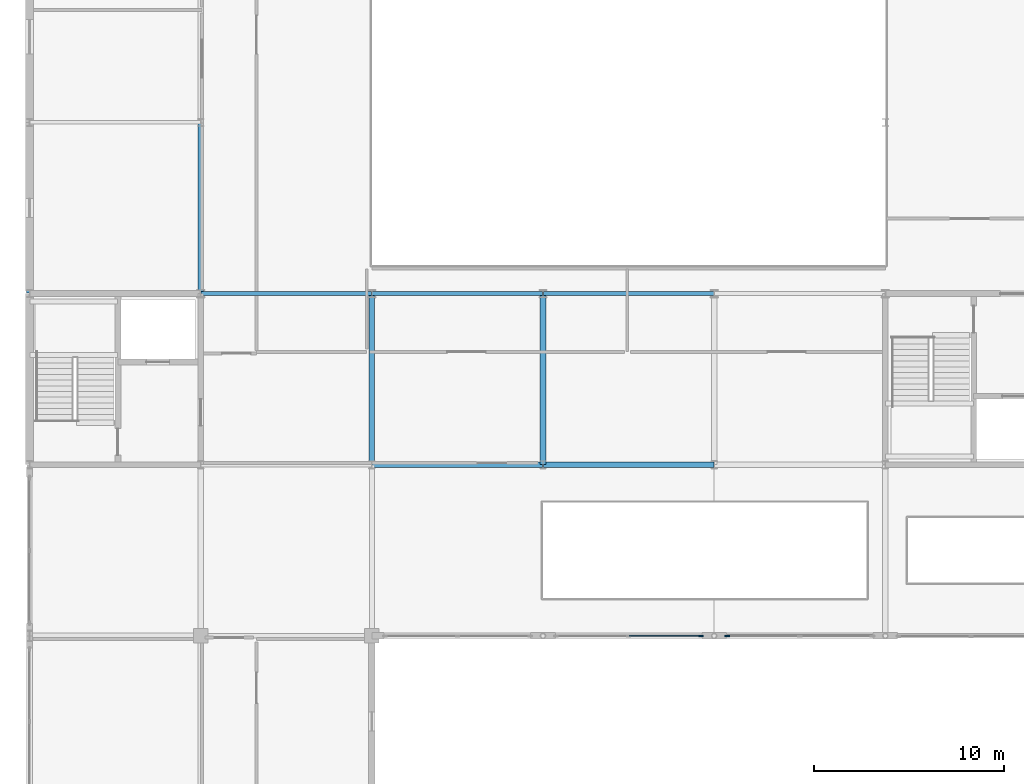
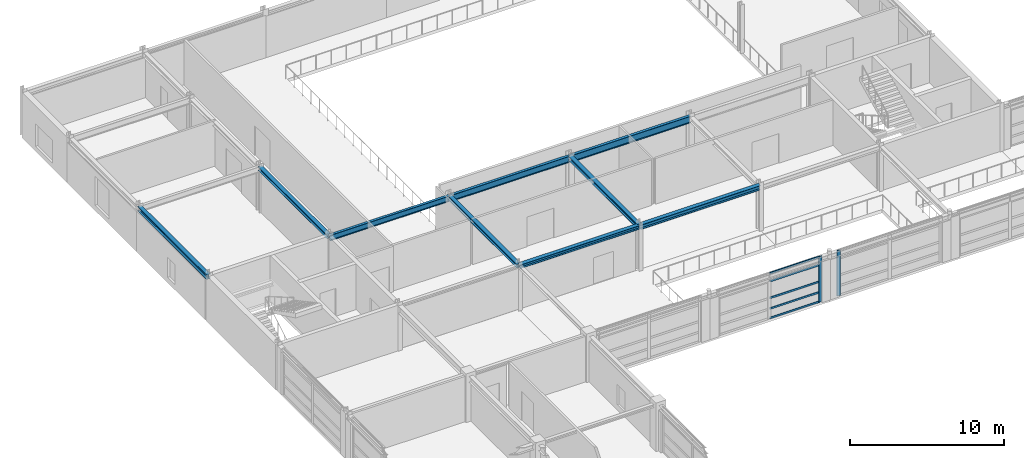
# One storey, part 32 of 79: 9 beams, 7 members, 2 elements without a shape of their own.
"""IFC4 building model written with IfcOpenShell, lengths in metres."""

import ifcopenshell
import ifcopenshell.guid

model = None  # the IFC model being written
_history = None  # IfcOwnerHistory: only IFC2X3 demands one
_inside = {}  # id of a spatial element -> (the spatial element, [elements in it])
_under = {}  # id of a project, library or spatial element -> (it, [spatial elements below it])
_declared = {}  # id of a project -> (the project, [libraries it declares])
_typed = {}  # id of a type object -> (the type object, [elements of that type])
_made_of = {}  # id of a material, layer set ... -> (it, [elements and type objects made of it])


def new_model(schema):
    """Start an empty IFC model of exactly this schema.

    Asked for "IFC4X3", IfcOpenShell would pick the latest addendum, in which some entities
    have other attributes; the version numbers below select the first issue.
    IFC2X3 requires an IfcOwnerHistory on every rooted entity: one is made here for all.
    """
    global model, _history
    if schema == "IFC4X3":
        model = ifcopenshell.file(schema_version=(4, 3, 0, 0))
    else:
        model = ifcopenshell.file(schema=schema)
    _inside.clear()
    _under.clear()
    _declared.clear()
    _typed.clear()
    _made_of.clear()
    _history = None
    if model.schema == "IFC2X3":
        org = make("IfcOrganization", Name="unknown")
        user = make(
            "IfcPersonAndOrganization",
            ThePerson=make("IfcPerson", FamilyName="unknown"),
            TheOrganization=org,
        )
        app = make(
            "IfcApplication",
            ApplicationDeveloper=org,
            Version="unknown",
            ApplicationFullName="unknown",
            ApplicationIdentifier="unknown",
        )
        _history = make(
            "IfcOwnerHistory",
            OwningUser=user,
            OwningApplication=app,
            ChangeAction="ADDED",
            CreationDate=0,
        )
    return model


def make(cls, **values):
    """One entity of the class cls with the attributes given. An attribute that is None is left unset."""
    return model.create_entity(
        cls, **{name: value for name, value in values.items() if value is not None}
    )


def rooted(cls, **values):
    """An entity with a GlobalId (a new one), such as an element, a storey or a relation."""
    return make(cls, GlobalId=ifcopenshell.guid.new(), OwnerHistory=_history, **values)


def si_unit(unit_type, name, prefix=None):
    """IfcSIUnit, for example si_unit("LENGTHUNIT", "METRE", prefix="MILLI")."""
    return make("IfcSIUnit", UnitType=unit_type, Prefix=prefix, Name=name)


def assignment(units):
    """IfcUnitAssignment: the units of a project."""
    return None if units is None else make("IfcUnitAssignment", Units=units)


def point(xyz):
    """IfcCartesianPoint."""
    return None if xyz is None else make("IfcCartesianPoint", Coordinates=xyz)


def direction(xyz):
    """IfcDirection."""
    return None if xyz is None else make("IfcDirection", DirectionRatios=xyz)


def frame(location, z_axis=None, x_axis=None):
    """IfcAxis2Placement3D, a coordinate frame: its origin and axes. An axis left out is left unset."""
    return make(
        "IfcAxis2Placement3D",
        Location=point(location),
        Axis=direction(z_axis),
        RefDirection=direction(x_axis),
    )


def frame_2d(location, x_axis=None):
    """IfcAxis2Placement2D, a coordinate frame in the plane: its origin and x axis."""
    return make(
        "IfcAxis2Placement2D", Location=point(location), RefDirection=direction(x_axis)
    )


def origin():
    """The frame at (0, 0, 0) with its axes left unset."""
    return frame((0.0, 0.0, 0.0))


def origin_2d():
    """The frame at (0, 0) in the plane with its x axis left unset."""
    return frame_2d((0.0, 0.0))


def place(relative_to, where):
    """IfcLocalPlacement: puts the frame where relative to a parent placement (None: the world)."""
    return make(
        "IfcLocalPlacement", PlacementRelTo=relative_to, RelativePlacement=where
    )


def context(
    kind, dimensions, precision=None, world=None, true_north=None, identifier=None
):
    """IfcGeometricRepresentationContext, for example the 3D "Model" context."""
    return make(
        "IfcGeometricRepresentationContext",
        ContextIdentifier=identifier,
        ContextType=kind,
        CoordinateSpaceDimension=dimensions,
        Precision=precision,
        WorldCoordinateSystem=world,
        TrueNorth=true_north,
    )


def subcontext(parent, identifier, kind, view, scale=None):
    """IfcGeometricRepresentationSubContext, for example "Body" below "Model"."""
    return make(
        "IfcGeometricRepresentationSubContext",
        ContextIdentifier=identifier,
        ContextType=kind,
        ParentContext=parent,
        TargetScale=scale,
        TargetView=view,
    )


def project(units=None, contexts=None):
    """IfcProject with its units and contexts."""
    return rooted(
        "IfcProject",
        Name="project",
        RepresentationContexts=contexts,
        UnitsInContext=assignment(units),
    )


def spatial(cls, under=None, at=None, **own):
    """A site, building, storey or space (cls), placed at a placement, below another one or the project."""
    s = rooted(cls, ObjectPlacement=at, **own)
    if under is not None:
        _under.setdefault(under.id(), (under, []))[1].append(s)
    return s


def profile(cls, at=None, kind="AREA", **sizes):
    """A parametric profile (cls). Its sizes go by their IFC names, for example OverallWidth=200.0."""
    return make(cls, ProfileType=kind, Position=at, **sizes)


def rectangle(**sizes):
    """IfcRectangleProfileDef."""
    return profile("IfcRectangleProfileDef", **sizes)


def i_section(**sizes):
    """IfcIShapeProfileDef."""
    return profile("IfcIShapeProfileDef", **sizes)


def extrude(swept, where, along, depth):
    """IfcExtrudedAreaSolid: the profile swept, set in the frame where, extruded along a direction by depth."""
    return make(
        "IfcExtrudedAreaSolid",
        SweptArea=swept,
        Position=where,
        ExtrudedDirection=direction(along),
        Depth=depth,
    )


def shape(context_of_items, identifier, shape_type, items):
    """IfcShapeRepresentation: the items that make up one representation, for example the "Body"."""
    return make(
        "IfcShapeRepresentation",
        ContextOfItems=context_of_items,
        RepresentationIdentifier=identifier,
        RepresentationType=shape_type,
        Items=items,
    )


def material(Name=None, Category=None):
    """IfcMaterial."""
    return make("IfcMaterial", Name=Name, Category=Category)


def material_profile(
    of_material, cross_section, Name=None, Category=None, Priority=None
):
    """IfcMaterialProfile: a cross section and its material."""
    return make(
        "IfcMaterialProfile",
        Name=Name,
        Material=of_material,
        Profile=cross_section,
        Priority=Priority,
        Category=Category,
    )


def profile_set(profiles, Name=None, composite=None):
    """IfcMaterialProfileSet."""
    return make(
        "IfcMaterialProfileSet",
        Name=Name,
        MaterialProfiles=profiles,
        CompositeProfile=composite,
    )


def made_of(thing, what):
    """Note that an element or type object is made of a material, layer set ...; save() writes the relation."""
    if what is not None:
        _made_of.setdefault(what.id(), (what, []))[1].append(thing)
    return thing


def type_object(cls, material=None, **own):
    """A type object (cls), such as IfcWallType, which elements share."""
    return made_of(rooted(cls, **own), material)


def element(
    cls,
    number,
    at=None,
    inside=None,
    cuts=None,
    type_object=None,
    material=None,
    context=None,
    identifier="Body",
    shape_type=None,
    held_by="IfcProductDefinitionShape",
    body=None,
    shapes=None,
    **own,
):
    """One element of the class cls, such as IfcWall. Its Tag is "e" and its number.

    at: its placement. inside: the storey or other place that contains it. cuts: it is an
    opening in that element (IfcRelVoidsElement). A single representation is given by context,
    identifier, shape_type and body (its items); several are given by shapes. held_by: the class
    of the entity that holds the representations. save() writes the other relations.
    """
    e = rooted(cls, Tag="e%d" % number, ObjectPlacement=at, **own)
    if body is not None:
        shapes = [shape(context, identifier, shape_type, body)]
    if shapes is not None:
        e.Representation = make(held_by, Representations=shapes)
    if inside is not None:
        _inside.setdefault(inside.id(), (inside, []))[1].append(e)
    if cuts is not None:
        rooted(
            "IfcRelVoidsElement", RelatingBuildingElement=cuts, RelatedOpeningElement=e
        )
    if type_object is not None:
        _typed.setdefault(type_object.id(), (type_object, []))[1].append(e)
    return made_of(e, material)


def aggregate(whole, parts):
    """IfcRelAggregates: a whole, such as a stair, and the parts it consists of."""
    return rooted("IfcRelAggregates", RelatingObject=whole, RelatedObjects=parts)


def save(model, path):
    """Write the relations noted so far, then the file.

    IfcRelAggregates (storeys below a building ...), IfcRelContainedInSpatialStructure (elements
    in a storey), IfcRelDefinesByType, IfcRelAssociatesMaterial and IfcRelDeclares: one each for
    every whole, place, type object, material and project.
    """
    for whole, parts in _under.values():
        aggregate(whole, parts)
    for where, things in _inside.values():
        rooted(
            "IfcRelContainedInSpatialStructure",
            RelatedElements=things,
            RelatingStructure=where,
        )
    for kind, things in _typed.values():
        rooted("IfcRelDefinesByType", RelatedObjects=things, RelatingType=kind)
    for what, things in _made_of.values():
        rooted("IfcRelAssociatesMaterial", RelatedObjects=things, RelatingMaterial=what)
    for by, libraries in _declared.values():
        rooted("IfcRelDeclares", RelatingContext=by, RelatedDefinitions=libraries)
    model.write(path)


model = new_model("IFC4")

# Units and contexts
model_context = context("Model", 3, precision=1e-05, world=origin(), true_north=direction((0.0, 1.0)))
body_context = subcontext(model_context, "Body", "Model", "MODEL_VIEW")
ifc_project = project(units=[si_unit("LENGTHUNIT", "METRE"), si_unit("AREAUNIT", "SQUARE_METRE"), si_unit("VOLUMEUNIT", "CUBIC_METRE"), si_unit("PLANEANGLEUNIT", "RADIAN"), si_unit("MASSUNIT", "GRAM", prefix="KILO")], contexts=[model_context])

# Site, building, storey
site_placement = place(None, origin())
site = spatial("IfcSite", under=ifc_project, at=site_placement, CompositionType="ELEMENT")
building_placement = place(site_placement, origin())
building = spatial("IfcBuilding", under=site, at=building_placement, Name="Palais des Congres Ocreval", CompositionType="ELEMENT")
storey_placement = place(building_placement, frame((0.0, 0.0, 4.320068359375)))
storey = spatial("IfcBuildingStorey", under=building, at=storey_placement, Name="L01", CompositionType="ELEMENT", Elevation=4.320068359375)

# Beams
ifc_material_1 = material(Name="Steel S355", Category="steel")
ifc_material_profile_1 = material_profile(ifc_material_1, i_section(OverallWidth=0.18994140625, OverallDepth=0.449951171875, WebThickness=0.009521484375, FlangeThickness=0.0146484375, at=origin_2d()), Name="IPE 450")
ifc_profile_set_1 = profile_set([ifc_material_profile_1], Name="Steel S355")
beam_type_1 = type_object("IfcBeamType", Name="Composite Beam IPE 450 Steel S355", PredefinedType="BEAM", material=ifc_profile_set_1)
beam_1_placement = place(storey_placement, frame((9.02001953125, 90.0, 3.35498046875), z_axis=(1.0, 0.0, 0.0), x_axis=(0.0, 1.0, 0.0)))
element("IfcBeam", 1, at=beam_1_placement, inside=storey, type_object=beam_type_1, Name="Beam B03 L01", PredefinedType="BEAM", context=body_context, shape_type="SweptSolid", body=[
    extrude(i_section(OverallWidth=0.18994140625, OverallDepth=0.449951171875, WebThickness=0.009521484375, FlangeThickness=0.0146484375, at=origin_2d()), origin(), (0.0, 0.0, 1.0), 8.9599609375),
])
ifc_material_profile_2 = material_profile(ifc_material_1, i_section(OverallWidth=0.199951171875, OverallDepth=0.5, WebThickness=0.01025390625, FlangeThickness=0.01611328125, at=origin_2d()), Name="IPE 500")
ifc_profile_set_2 = profile_set([ifc_material_profile_2], Name="Steel S355")
beam_type_2 = type_object("IfcBeamType", Name="Composite Beam IPE 500 Steel S355", PredefinedType="BEAM", material=ifc_profile_set_2)
beam_2_placement = place(storey_placement, frame((18.02001953125, 90.0, 3.329833984375), z_axis=(1.0, 0.0, 0.0), x_axis=(0.0, 1.0, 0.0)))
element("IfcBeam", 2, at=beam_2_placement, inside=storey, type_object=beam_type_2, Name="Beam B04 L01", PredefinedType="BEAM", context=body_context, shape_type="SweptSolid", body=[
    extrude(i_section(OverallWidth=0.199951171875, OverallDepth=0.5, WebThickness=0.01025390625, FlangeThickness=0.01611328125, at=origin_2d()), origin(), (0.0, 0.0, 1.0), 8.9599609375),
])
ifc_material_profile_3 = material_profile(ifc_material_1, i_section(OverallWidth=0.2099609375, OverallDepth=0.550048828125, WebThickness=0.010986328125, FlangeThickness=0.01708984375, at=origin_2d()), Name="IPE 550")
ifc_profile_set_3 = profile_set([ifc_material_profile_3], Name="Steel S355")
beam_type_3 = type_object("IfcBeamType", Name="Composite Beam IPE 550 Steel S355", PredefinedType="BEAM", material=ifc_profile_set_3)
beam_3_placement = place(storey_placement, frame((27.02001953125, 90.0, 3.304931640625), z_axis=(1.0, 0.0, 0.0), x_axis=(0.0, 1.0, 0.0)))
element("IfcBeam", 3, at=beam_3_placement, inside=storey, type_object=beam_type_3, Name="Beam B05 L01", PredefinedType="BEAM", context=body_context, shape_type="SweptSolid", body=[
    extrude(i_section(OverallWidth=0.2099609375, OverallDepth=0.550048828125, WebThickness=0.010986328125, FlangeThickness=0.01708984375, at=origin_2d()), origin(), (0.0, 0.0, 1.0), 8.9599609375),
])

# Curtain wall, member
ifc_material_2 = material(Name="Anodized bronze aluminium and low-E glass", Category="glass")
curtain_wall_type = type_object("IfcCurtainWallType", Name="Unitised Curtain Wall 7900x3660", PredefinedType="USERDEFINED", material=ifc_material_2)
curtain_wall_1_placement = place(storey_placement, origin())
curtain_wall_1 = element("IfcCurtainWall", 4, at=curtain_wall_1_placement, inside=storey, type_object=curtain_wall_type, Name="Unitised Curtain Wall CW02 L01", ObjectType="UNITISED CURTAIN WALL", PredefinedType="USERDEFINED")
ifc_material_3 = material(Name="Anodized bronze aluminium", Category="aluminium")
ifc_material_profile_4 = material_profile(ifc_material_3, rectangle(XDim=0.074951171875, YDim=0.239990234375, at=origin_2d()), Name="ALU 75x240")
ifc_profile_set_4 = profile_set([ifc_material_profile_4], Name="Anodized bronze aluminium")
member_type_1 = type_object("IfcMemberType", Name="Curtain Wall Mullion ALU 75x240", PredefinedType="MULLION", material=ifc_profile_set_4)
member_1_placement = place(storey_placement, frame((36.6875, 72.0, 0.0), z_axis=(0.0, 0.0, 1.0), x_axis=(0.0, -1.0, 0.0)))
member_1 = element("IfcMember", 5, at=member_1_placement, type_object=member_type_1, Name="Curtain Wall Mullion ML01", PredefinedType="MULLION", context=body_context, shape_type="SweptSolid", body=[
    extrude(rectangle(XDim=0.074951171875, YDim=0.239990234375, at=origin_2d()), origin(), (0.0, 0.0, 1.0), 3.58984375),
])
aggregate(curtain_wall_1, [member_1])

# Curtain wall, members
curtain_wall_2_placement = place(storey_placement, origin())
curtain_wall_2 = element("IfcCurtainWall", 6, at=curtain_wall_2_placement, inside=storey, type_object=curtain_wall_type, Name="Unitised Curtain Wall CW02 L01", ObjectType="UNITISED CURTAIN WALL", PredefinedType="USERDEFINED")
member_2_placement = place(storey_placement, frame((35.3125, 72.0, 0.0), z_axis=(0.0, 0.0, 1.0), x_axis=(0.0, -1.0, 0.0)))
member_2 = element("IfcMember", 7, at=member_2_placement, type_object=member_type_1, Name="Curtain Wall Mullion ML01", PredefinedType="MULLION", context=body_context, shape_type="SweptSolid", body=[
    extrude(rectangle(XDim=0.074951171875, YDim=0.239990234375, at=origin_2d()), origin(), (0.0, 0.0, 1.0), 3.58984375),
])
ifc_material_profile_5 = material_profile(ifc_material_3, rectangle(XDim=0.06005859375, YDim=0.14990234375, at=origin_2d()), Name="ALU 60x150")
ifc_profile_set_5 = profile_set([ifc_material_profile_5], Name="Anodized bronze aluminium")
member_type_2 = type_object("IfcMemberType", Name="Curtain Wall Transom ALU 60x150", PredefinedType="USERDEFINED", material=ifc_profile_set_5)
member_3_placement = place(storey_placement, frame((35.27490234375, 72.0, 0.030029296875), z_axis=(-1.0, 0.0, 0.0), x_axis=(0.0, -1.0, 0.0)))
member_3 = element("IfcMember", 8, at=member_3_placement, type_object=member_type_2, Name="Curtain Wall Transom TR01", ObjectType="TRANSOM", PredefinedType="USERDEFINED", context=body_context, shape_type="SweptSolid", body=[
    extrude(rectangle(XDim=0.06005859375, YDim=0.14990234375, at=origin_2d()), origin(), (0.0, 0.0, 1.0), 3.7373046875),
])
member_4_placement = place(storey_placement, frame((35.27490234375, 72.0, 0.780029296875), z_axis=(-1.0, 0.0, 0.0), x_axis=(0.0, -1.0, 0.0)))
member_4 = element("IfcMember", 9, at=member_4_placement, type_object=member_type_2, Name="Curtain Wall Transom TR01", ObjectType="TRANSOM", PredefinedType="USERDEFINED", context=body_context, shape_type="SweptSolid", body=[
    extrude(rectangle(XDim=0.06005859375, YDim=0.14990234375, at=origin_2d()), origin(), (0.0, 0.0, 1.0), 3.7373046875),
])
member_5_placement = place(storey_placement, frame((35.27490234375, 72.0, 1.616943359375), z_axis=(-1.0, 0.0, 0.0), x_axis=(0.0, -1.0, 0.0)))
member_5 = element("IfcMember", 10, at=member_5_placement, type_object=member_type_2, Name="Curtain Wall Transom TR01", ObjectType="TRANSOM", PredefinedType="USERDEFINED", context=body_context, shape_type="SweptSolid", body=[
    extrude(rectangle(XDim=0.06005859375, YDim=0.14990234375, at=origin_2d()), origin(), (0.0, 0.0, 1.0), 3.7373046875),
])
member_6_placement = place(storey_placement, frame((35.27490234375, 72.0, 2.93994140625), z_axis=(-1.0, 0.0, 0.0), x_axis=(0.0, -1.0, 0.0)))
member_6 = element("IfcMember", 11, at=member_6_placement, type_object=member_type_2, Name="Curtain Wall Transom TR01", ObjectType="TRANSOM", PredefinedType="USERDEFINED", context=body_context, shape_type="SweptSolid", body=[
    extrude(rectangle(XDim=0.06005859375, YDim=0.14990234375, at=origin_2d()), origin(), (0.0, 0.0, 1.0), 3.7373046875),
])
member_7_placement = place(storey_placement, frame((35.27490234375, 72.0, 3.559814453125), z_axis=(-1.0, 0.0, 0.0), x_axis=(0.0, -1.0, 0.0)))
member_7 = element("IfcMember", 12, at=member_7_placement, type_object=member_type_2, Name="Curtain Wall Transom TR01", ObjectType="TRANSOM", PredefinedType="USERDEFINED", context=body_context, shape_type="SweptSolid", body=[
    extrude(rectangle(XDim=0.06005859375, YDim=0.14990234375, at=origin_2d()), origin(), (0.0, 0.0, 1.0), 3.7373046875),
])
aggregate(curtain_wall_2, [member_2, member_3, member_4, member_5, member_6, member_7])

# Beams
ifc_material_profile_6 = material_profile(ifc_material_1, i_section(OverallWidth=0.300048828125, OverallDepth=0.300048828125, WebThickness=0.010986328125, FlangeThickness=0.01904296875, at=origin_2d()), Name="HEB 300")
ifc_profile_set_6 = profile_set([ifc_material_profile_6], Name="Steel S355")
beam_type_4 = type_object("IfcBeamType", Name="Perimeter Spandrel HEB 300 Steel S355", PredefinedType="SPANDREL", material=ifc_profile_set_6)
for number, where, z_axis, x_axis, name in (
    (13, (18.02001953125, 81.0, 3.429931640625), (1.0, 0.0, 0.0), (0.0, 1.0, 0.0), "Beam SP02 L01"),
    (14, (18.0, 81.02001953125, 3.429931640625), (0.0, 1.0, 0.0), (-1.0, 0.0, 0.0), "Girder SP02 L01"),
):
    element("IfcBeam", number, at=place(storey_placement, frame(where, z_axis=z_axis, x_axis=x_axis)), inside=storey, type_object=beam_type_4, Name=name, PredefinedType="SPANDREL", context=body_context, shape_type="SweptSolid", body=[
        extrude(i_section(OverallWidth=0.300048828125, OverallDepth=0.300048828125, WebThickness=0.010986328125, FlangeThickness=0.01904296875, at=origin_2d()), origin(), (0.0, 0.0, 1.0), 8.9599609375),
    ])
ifc_material_profile_7 = material_profile(ifc_material_1, i_section(OverallWidth=0.300048828125, OverallDepth=0.360107421875, WebThickness=0.012451171875, FlangeThickness=0.0224609375, at=origin_2d()), Name="HEB 360")
ifc_profile_set_7 = profile_set([ifc_material_profile_7], Name="Steel S355")
beam_type_5 = type_object("IfcBeamType", Name="Perimeter Spandrel HEB 360 Steel S355", PredefinedType="SPANDREL", material=ifc_profile_set_7)
for number, where, z_axis, x_axis, name in (
    (15, (0.0, 90.02001953125, 3.39990234375), (0.0, 1.0, 0.0), (-1.0, 0.0, 0.0), "Girder SP03 L01"),
    (16, (27.02001953125, 81.0, 3.39990234375), (1.0, 0.0, 0.0), (0.0, 1.0, 0.0), "Beam SP03 L01"),
):
    element("IfcBeam", number, at=place(storey_placement, frame(where, z_axis=z_axis, x_axis=x_axis)), inside=storey, type_object=beam_type_5, Name=name, PredefinedType="SPANDREL", context=body_context, shape_type="SweptSolid", body=[
        extrude(i_section(OverallWidth=0.300048828125, OverallDepth=0.360107421875, WebThickness=0.012451171875, FlangeThickness=0.0224609375, at=origin_2d()), origin(), (0.0, 0.0, 1.0), 8.9599609375),
    ])
ifc_material_profile_8 = material_profile(ifc_material_1, i_section(OverallWidth=0.300048828125, OverallDepth=0.2900390625, WebThickness=0.008544921875, FlangeThickness=0.013916015625, at=origin_2d()), Name="HEA 300")
ifc_profile_set_8 = profile_set([ifc_material_profile_8], Name="Steel S355")
beam_type_6 = type_object("IfcBeamType", Name="Primary Beam HEA 300 Steel S355", PredefinedType="BEAM", material=ifc_profile_set_8)
beam_4_placement = place(storey_placement, frame((9.0, 90.02001953125, 3.434814453125), z_axis=(0.0, 1.0, 0.0), x_axis=(-1.0, 0.0, 0.0)))
element("IfcBeam", 17, at=beam_4_placement, inside=storey, type_object=beam_type_6, Name="Girder B08 L01", PredefinedType="BEAM", context=body_context, shape_type="SweptSolid", body=[
    extrude(i_section(OverallWidth=0.300048828125, OverallDepth=0.2900390625, WebThickness=0.008544921875, FlangeThickness=0.013916015625, at=origin_2d()), origin(), (0.0, 0.0, 1.0), 8.9599609375),
])
ifc_material_profile_9 = material_profile(ifc_material_1, i_section(OverallWidth=0.300048828125, OverallDepth=0.330078125, WebThickness=0.009521484375, FlangeThickness=0.0166015625, at=origin_2d()), Name="HEA 340")
ifc_profile_set_9 = profile_set([ifc_material_profile_9], Name="Steel S355")
beam_type_7 = type_object("IfcBeamType", Name="Primary Beam HEA 340 Steel S355", PredefinedType="BEAM", material=ifc_profile_set_9)
beam_5_placement = place(storey_placement, frame((27.0, 81.02001953125, 3.4150390625), z_axis=(0.0, 1.0, 0.0), x_axis=(-1.0, 0.0, 0.0)))
element("IfcBeam", 18, at=beam_5_placement, inside=storey, type_object=beam_type_7, Name="Girder B09 L01", PredefinedType="BEAM", context=body_context, shape_type="SweptSolid", body=[
    extrude(i_section(OverallWidth=0.300048828125, OverallDepth=0.330078125, WebThickness=0.009521484375, FlangeThickness=0.0166015625, at=origin_2d()), origin(), (0.0, 0.0, 1.0), 8.9599609375),
])

save(model, "model.ifc")
